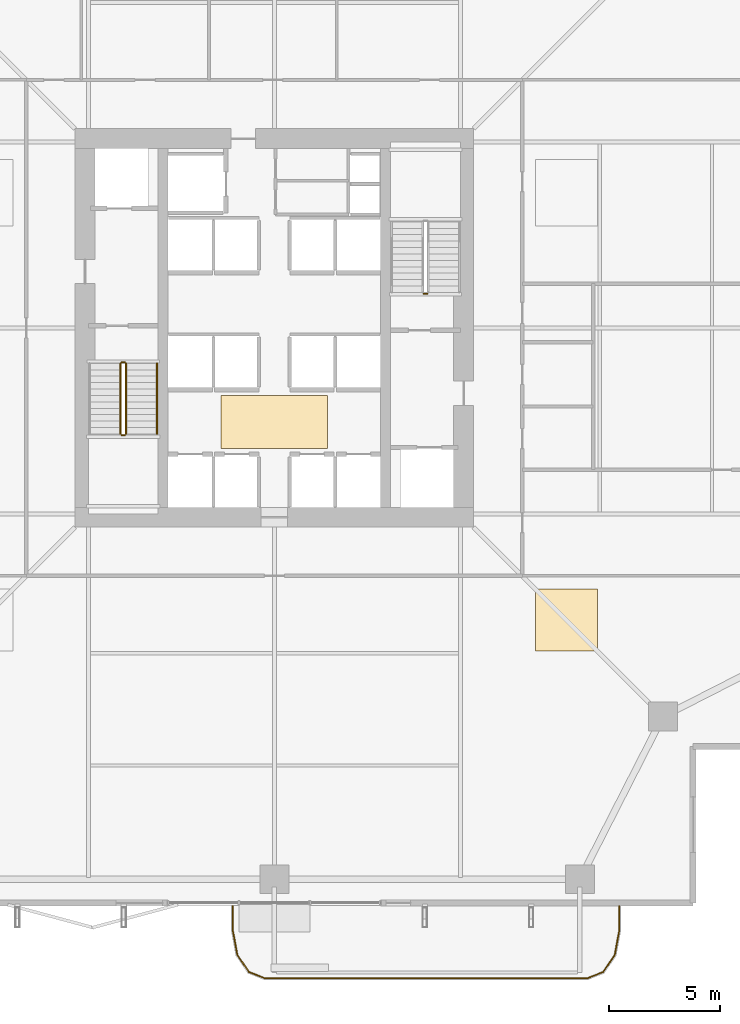
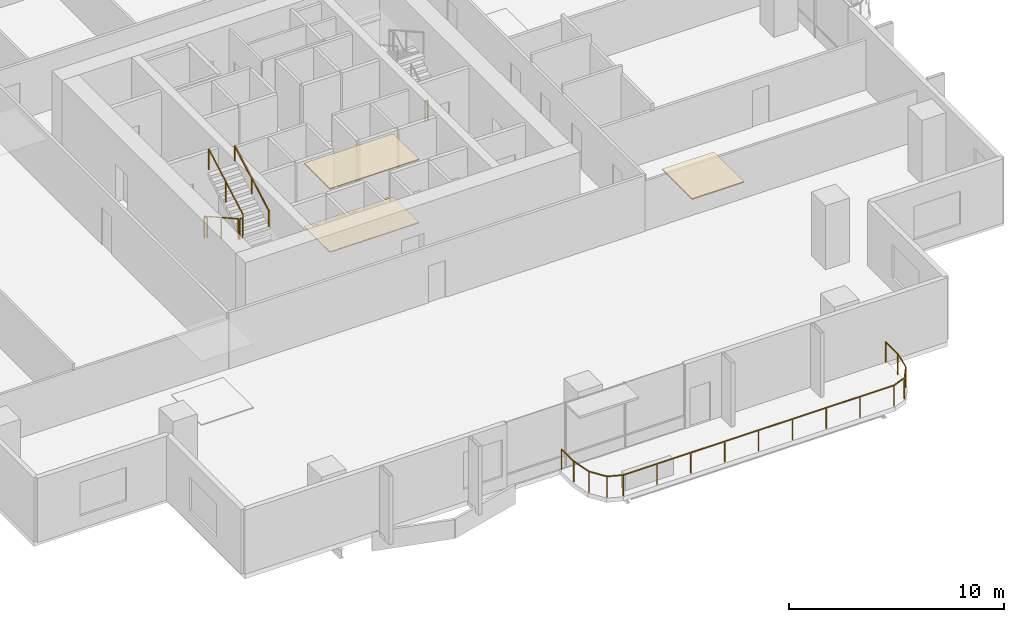
# One storey, part 22 of 24: 7 railings, 3 coverings.
"""IFC4 building model written with IfcOpenShell, lengths in metres."""

from ifc_helpers import new_model, si_unit, direction, frame, origin, origin_2d, place, context, subcontext, project, spatial, polyline, rectangle, outline, extrude, material, layer, layer_set, type_object, element, save


model = new_model("IFC4")

# Units and contexts
model_context = context("Model", 3, precision=1e-05, world=origin(), true_north=direction((0.0, 1.0)))
body_context = subcontext(model_context, "Body", "Model", "MODEL_VIEW")
ifc_project = project(units=[si_unit("LENGTHUNIT", "METRE"), si_unit("AREAUNIT", "SQUARE_METRE"), si_unit("VOLUMEUNIT", "CUBIC_METRE"), si_unit("PLANEANGLEUNIT", "RADIAN"), si_unit("MASSUNIT", "GRAM", prefix="KILO")], contexts=[model_context])

# Site, building, storey
site_placement = place(None, origin())
site = spatial("IfcSite", under=ifc_project, at=site_placement, CompositionType="ELEMENT")
building_placement = place(site_placement, origin())
building = spatial("IfcBuilding", under=site, at=building_placement, Name="Belovzor Exchange Tower", CompositionType="ELEMENT")
storey_placement = place(building_placement, frame((0.0, 0.0, 129.0)))
storey = spatial("IfcBuildingStorey", under=building, at=storey_placement, Name="L31", CompositionType="ELEMENT", Elevation=129.0)

# Railings
ifc_material_1 = material(Name="Stainless Steel Grade 304", Category="steel")
railing_type_1 = type_object("IfcRailingType", Name="Brushed Stainless Steel Stair Handrail 900", PredefinedType="HANDRAIL", material=ifc_material_1)
railing_1_placement = place(storey_placement, frame((23.5, 24.010009765625, 2.112548828125)))
element("IfcRailing", 1, at=railing_1_placement, inside=storey, type_object=railing_type_1, Name="L31 ST-1 stair handrail 2", PredefinedType="HANDRAIL", context=body_context, shape_type="SweptSolid", body=[
    extrude(rectangle(XDim=0.048095703125, YDim=0.048095703125, at=origin_2d()), frame((0.0, 0.0, 0.8759765625), z_axis=(0.0, 0.872390997893, 0.488808701636), x_axis=(-1.0, 0.0, 0.0)), (0.0, 0.0, 1.0), 3.656494140625),
    extrude(rectangle(XDim=0.0419921875, YDim=0.0419921875, at=origin_2d()), origin(), (0.0, 0.0, 1.0), 0.851806640625),
    extrude(rectangle(XDim=0.0419921875, YDim=0.0419921875, at=origin_2d()), frame((0.0, 1.594970703125, 0.8935546875)), (0.0, 0.0, 1.0), 0.851806640625),
    extrude(rectangle(XDim=0.0419921875, YDim=0.0419921875, at=origin_2d()), frame((0.0, 3.18994140625, 1.787353515625)), (0.0, 0.0, 1.0), 0.851806640625),
])
ifc_material_2 = material(Name="Stainless Steel and Laminated Safety Glass", Category="steel")
railing_type_2 = type_object("IfcRailingType", Name="Laminated Glass & Stainless Steel Balcony Balustrade 1200", PredefinedType="BALUSTRADE", material=ifc_material_2)
railing_2_placement = place(storey_placement, frame((26.929931640625, 2.68994140625, 0.0)))
element("IfcRailing", 2, at=railing_2_placement, inside=storey, type_object=railing_type_2, Name="GR-1 Balcony Balustrade L31 South", PredefinedType="BALUSTRADE", context=body_context, shape_type="SweptSolid", body=[
    extrude(rectangle(XDim=0.048095703125, YDim=0.048095703125, at=origin_2d()), frame((0.0, 0.0, 1.17578125), z_axis=(0.0, -1.0, 0.0), x_axis=(1.0, 0.0, 0.0)), (0.0, 0.0, 1.0), 1.133056640625),
    extrude(rectangle(XDim=0.048095703125, YDim=0.048095703125, at=origin_2d()), frame((0.0, -1.133056640625, 1.17578125), z_axis=(0.180122719713, -0.983644145941, 0.0), x_axis=(0.983644145941, 0.180122719713, 0.0)), (0.0, 0.0, 1.0), 1.09375),
    extrude(rectangle(XDim=0.048095703125, YDim=0.048095703125, at=origin_2d()), frame((0.197021484375, -2.208984375, 1.17578125), z_axis=(0.56294695933, -0.826493025367, 0.0), x_axis=(0.826493025367, 0.56294695933, 0.0)), (0.0, 0.0, 1.0), 0.932861328125),
    extrude(rectangle(XDim=0.048095703125, YDim=0.048095703125, at=origin_2d()), frame((0.72216796875, -2.97998046875, 1.17578125), z_axis=(0.930766990125, -0.365612923861, 0.0), x_axis=(0.365612923861, 0.930766990125, 0.0)), (0.0, 0.0, 1.0), 0.765869140625),
    extrude(rectangle(XDim=0.048095703125, YDim=0.048095703125, at=origin_2d()), frame((1.43505859375, -3.260009765625, 1.17578125), z_axis=(1.0, 0.0, 0.0), x_axis=(0.0, 1.0, 0.0)), (0.0, 0.0, 1.0), 14.570068359375),
    extrude(rectangle(XDim=0.048095703125, YDim=0.048095703125, at=origin_2d()), frame((16.005126953125, -3.260009765625, 1.17578125), z_axis=(0.930766990125, 0.365612923861, 0.0), x_axis=(-0.365612923861, 0.930766990125, 0.0)), (0.0, 0.0, 1.0), 0.765869140625),
    extrude(rectangle(XDim=0.048095703125, YDim=0.048095703125, at=origin_2d()), frame((16.718017578125, -2.97998046875, 1.17578125), z_axis=(0.56294695933, 0.826493025367, 0.0), x_axis=(-0.826493025367, 0.56294695933, 0.0)), (0.0, 0.0, 1.0), 0.932861328125),
    extrude(rectangle(XDim=0.048095703125, YDim=0.048095703125, at=origin_2d()), frame((17.2431640625, -2.208984375, 1.17578125), z_axis=(0.180122719713, 0.983644145941, 0.0), x_axis=(-0.983644145941, 0.180122719713, 0.0)), (0.0, 0.0, 1.0), 1.09375),
    extrude(rectangle(XDim=0.048095703125, YDim=0.048095703125, at=origin_2d()), frame((17.440185546875, -1.133056640625, 1.17578125), z_axis=(0.0, 1.0, 0.0), x_axis=(-1.0, 0.0, 0.0)), (0.0, 0.0, 1.0), 1.133056640625),
    extrude(rectangle(XDim=0.0419921875, YDim=0.0419921875, at=origin_2d()), origin(), (0.0, 0.0, 1.0), 1.15185546875),
    extrude(rectangle(XDim=0.0419921875, YDim=0.0419921875, at=origin_2d()), frame((0.0, -1.133056640625, 0.0)), (0.0, 0.0, 1.0), 1.15185546875),
    extrude(rectangle(XDim=0.0419921875, YDim=0.0419921875, at=origin_2d()), frame((0.197021484375, -2.208984375, 0.0)), (0.0, 0.0, 1.0), 1.15185546875),
    extrude(rectangle(XDim=0.0419921875, YDim=0.0419921875, at=origin_2d()), frame((0.72216796875, -2.97998046875, 0.0)), (0.0, 0.0, 1.0), 1.15185546875),
    extrude(rectangle(XDim=0.0419921875, YDim=0.0419921875, at=origin_2d()), frame((1.43505859375, -3.260009765625, 0.0)), (0.0, 0.0, 1.0), 1.15185546875),
    extrude(rectangle(XDim=0.0419921875, YDim=0.0419921875, at=origin_2d()), frame((3.25634765625, -3.260009765625, 0.0)), (0.0, 0.0, 1.0), 1.15185546875),
    extrude(rectangle(XDim=0.0419921875, YDim=0.0419921875, at=origin_2d()), frame((5.07763671875, -3.260009765625, 0.0)), (0.0, 0.0, 1.0), 1.15185546875),
    extrude(rectangle(XDim=0.0419921875, YDim=0.0419921875, at=origin_2d()), frame((6.89892578125, -3.260009765625, 0.0)), (0.0, 0.0, 1.0), 1.15185546875),
    extrude(rectangle(XDim=0.0419921875, YDim=0.0419921875, at=origin_2d()), frame((8.72021484375, -3.260009765625, 0.0)), (0.0, 0.0, 1.0), 1.15185546875),
    extrude(rectangle(XDim=0.0419921875, YDim=0.0419921875, at=origin_2d()), frame((10.541259765625, -3.260009765625, 0.0)), (0.0, 0.0, 1.0), 1.15185546875),
    extrude(rectangle(XDim=0.0419921875, YDim=0.0419921875, at=origin_2d()), frame((12.362548828125, -3.260009765625, 0.0)), (0.0, 0.0, 1.0), 1.15185546875),
    extrude(rectangle(XDim=0.0419921875, YDim=0.0419921875, at=origin_2d()), frame((14.183837890625, -3.260009765625, 0.0)), (0.0, 0.0, 1.0), 1.15185546875),
    extrude(rectangle(XDim=0.0419921875, YDim=0.0419921875, at=origin_2d()), frame((16.005126953125, -3.260009765625, 0.0)), (0.0, 0.0, 1.0), 1.15185546875),
    extrude(rectangle(XDim=0.0419921875, YDim=0.0419921875, at=origin_2d()), frame((16.718017578125, -2.97998046875, 0.0)), (0.0, 0.0, 1.0), 1.15185546875),
    extrude(rectangle(XDim=0.0419921875, YDim=0.0419921875, at=origin_2d()), frame((17.2431640625, -2.208984375, 0.0)), (0.0, 0.0, 1.0), 1.15185546875),
    extrude(rectangle(XDim=0.0419921875, YDim=0.0419921875, at=origin_2d()), frame((17.440185546875, -1.133056640625, 0.0)), (0.0, 0.0, 1.0), 1.15185546875),
    extrude(rectangle(XDim=0.0419921875, YDim=0.0419921875, at=origin_2d()), frame((17.440185546875, 0.0, 0.0)), (0.0, 0.0, 1.0), 1.15185546875),
])
ifc_material_3 = material(Name="Steel S355", Category="steel")
railing_type_3 = type_object("IfcRailingType", Name="Painted Steel Stairwell Guardrail 1200", PredefinedType="GUARDRAIL", material=ifc_material_3)
railing_3_placement = place(storey_placement, frame((21.85009765625, 27.199951171875, 0.16259765625)))
element("IfcRailing", 3, at=railing_3_placement, inside=storey, type_object=railing_type_3, Name="L31 ST-1 stair guard 1", PredefinedType="GUARDRAIL", context=body_context, shape_type="SweptSolid", body=[
    extrude(rectangle(XDim=0.048095703125, YDim=0.048095703125, at=origin_2d()), frame((0.0, 0.0, 1.17578125), z_axis=(0.0, -0.872390997893, 0.488808701636), x_axis=(1.0, 0.0, 0.0)), (0.0, 0.0, 1.0), 3.656494140625),
    extrude(rectangle(XDim=0.0419921875, YDim=0.0419921875, at=origin_2d()), origin(), (0.0, 0.0, 1.0), 1.15185546875),
    extrude(rectangle(XDim=0.0419921875, YDim=0.0419921875, at=origin_2d()), frame((0.0, -1.594970703125, 0.8935546875)), (0.0, 0.0, 1.0), 1.15185546875),
    extrude(rectangle(XDim=0.0419921875, YDim=0.0419921875, at=origin_2d()), frame((0.0, -3.18994140625, 1.787353515625)), (0.0, 0.0, 1.0), 1.15185546875),
])
railing_4_placement = place(storey_placement, frame((21.89990234375, 23.9599609375, 1.949951171875)))
element("IfcRailing", 4, at=railing_4_placement, inside=storey, type_object=railing_type_3, Name="L31 ST-1 stair guard 2", PredefinedType="GUARDRAIL", context=body_context, shape_type="SweptSolid", body=[
    extrude(rectangle(XDim=0.048095703125, YDim=0.048095703125, at=origin_2d()), frame((0.0, 0.0, 1.17578125), z_axis=(1.0, 0.0, 0.0), x_axis=(0.0, 1.0, 0.0)), (0.0, 0.0, 1.0), 0.150146484375),
    extrude(rectangle(XDim=0.0419921875, YDim=0.0419921875, at=origin_2d()), origin(), (0.0, 0.0, 1.0), 1.15185546875),
    extrude(rectangle(XDim=0.0419921875, YDim=0.0419921875, at=origin_2d()), frame((0.150146484375, 0.0, 0.0)), (0.0, 0.0, 1.0), 1.15185546875),
])
railing_5_placement = place(storey_placement, frame((22.10009765625, 24.010009765625, 2.112548828125)))
element("IfcRailing", 5, at=railing_5_placement, inside=storey, type_object=railing_type_3, Name="L31 ST-1 stair guard 3", PredefinedType="GUARDRAIL", context=body_context, shape_type="SweptSolid", body=[
    extrude(rectangle(XDim=0.048095703125, YDim=0.048095703125, at=origin_2d()), frame((0.0, 0.0, 1.17578125), z_axis=(0.0, 0.872390997893, 0.488808701636), x_axis=(-1.0, 0.0, 0.0)), (0.0, 0.0, 1.0), 3.656494140625),
    extrude(rectangle(XDim=0.0419921875, YDim=0.0419921875, at=origin_2d()), origin(), (0.0, 0.0, 1.0), 1.15185546875),
    extrude(rectangle(XDim=0.0419921875, YDim=0.0419921875, at=origin_2d()), frame((0.0, 1.594970703125, 0.8935546875)), (0.0, 0.0, 1.0), 1.15185546875),
    extrude(rectangle(XDim=0.0419921875, YDim=0.0419921875, at=origin_2d()), frame((0.0, 3.18994140625, 1.787353515625)), (0.0, 0.0, 1.0), 1.15185546875),
])
railing_6_placement = place(storey_placement, frame((21.89990234375, 27.25, 0.0)))
element("IfcRailing", 6, at=railing_6_placement, inside=storey, type_object=railing_type_3, Name="L31 ST-1 stair guard 4", PredefinedType="GUARDRAIL", context=body_context, shape_type="SweptSolid", body=[
    extrude(rectangle(XDim=0.048095703125, YDim=0.048095703125, at=origin_2d()), frame((0.0, 0.0, 1.17578125), z_axis=(1.0, 0.0, 0.0), x_axis=(0.0, 1.0, 0.0)), (0.0, 0.0, 1.0), 0.150146484375),
    extrude(rectangle(XDim=0.0419921875, YDim=0.0419921875, at=origin_2d()), origin(), (0.0, 0.0, 1.0), 1.15185546875),
    extrude(rectangle(XDim=0.0419921875, YDim=0.0419921875, at=origin_2d()), frame((0.150146484375, 0.0, 0.0)), (0.0, 0.0, 1.0), 1.15185546875),
])
railing_7_placement = place(storey_placement, frame((35.699951171875, 30.35009765625, 0.0)))
element("IfcRailing", 7, at=railing_7_placement, inside=storey, type_object=railing_type_3, Name="L31 ST-2 stair guard 4", PredefinedType="GUARDRAIL", context=body_context, shape_type="SweptSolid", body=[
    extrude(rectangle(XDim=0.048095703125, YDim=0.048095703125, at=origin_2d()), frame((0.0, 0.0, 1.17578125), z_axis=(-1.0, 0.0, 0.0), x_axis=(0.0, -1.0, 0.0)), (0.0, 0.0, 1.0), 0.14990234375),
    extrude(rectangle(XDim=0.0419921875, YDim=0.0419921875, at=origin_2d()), origin(), (0.0, 0.0, 1.0), 1.15185546875),
    extrude(rectangle(XDim=0.0419921875, YDim=0.0419921875, at=origin_2d()), frame((-0.14990234375, 0.0, 0.0)), (0.0, 0.0, 1.0), 1.15185546875),
])

# Coverings
ifc_material_4 = material(Name="Perforated Powder-Coated Aluminium", Category="aluminium")
ifc_layer_1 = layer(ifc_material_4, 0.06005859375)
ifc_layer_set_1 = layer_set([ifc_layer_1], Name="Perforated Powder-Coated Aluminium")
covering_type_1 = type_object("IfcCoveringType", Name="Perforated Acoustic Metal Tile Suspended Ceiling 60", PredefinedType="CEILING", material=ifc_layer_set_1)
covering_1_placement = place(storey_placement, frame((0.0, 0.0, 3.590087890625)))
element("IfcCovering", 8, at=covering_1_placement, inside=storey, type_object=covering_type_1, Name="CLG-AC60 Suspended Ceiling CLG-L31-LOB", PredefinedType="CEILING", context=body_context, shape_type="SweptSolid", body=[
    extrude(outline(polyline([(26.39990234375, 23.35009765625), (31.199951171875, 23.35009765625), (31.199951171875, 25.75), (26.39990234375, 25.75), (26.39990234375, 23.35009765625)])), origin(), (0.0, 0.0, 1.0), 0.059814453125),
])
covering_2_placement = place(storey_placement, frame((0.0, 0.0, 3.590087890625)))
element("IfcCovering", 9, at=covering_2_placement, inside=storey, type_object=covering_type_1, Name="CLG-AC60 Suspended Ceiling CLG-L31-Z1", PredefinedType="CEILING", context=body_context, shape_type="SweptSolid", body=[
    extrude(outline(polyline([(40.60009765625, 14.199951171875), (43.39990234375, 14.199951171875), (43.39990234375, 17.0), (40.60009765625, 17.0), (40.60009765625, 14.199951171875)])), origin(), (0.0, 0.0, 1.0), 0.059814453125),
])
ifc_material_5 = material(Name="Polished Natural Granite Tile", Category="masonry")
ifc_layer_2 = layer(ifc_material_5, 0.050048828125)
ifc_layer_set_2 = layer_set([ifc_layer_2], Name="Polished Natural Granite Tile")
covering_type_2 = type_object("IfcCoveringType", Name="Polished Karelian Granite & Raised Access Floor Finish 50", PredefinedType="FLOORING", material=ifc_layer_set_2)
covering_3_placement = place(storey_placement, origin())
element("IfcCovering", 10, at=covering_3_placement, inside=storey, type_object=covering_type_2, Name="FLR-GR50 Floor Finish FLR-L31-LOB", PredefinedType="FLOORING", context=body_context, shape_type="SweptSolid", body=[
    extrude(outline(polyline([(26.39990234375, 23.35009765625), (31.199951171875, 23.35009765625), (31.199951171875, 25.75), (26.39990234375, 25.75), (26.39990234375, 23.35009765625)])), origin(), (0.0, 0.0, 1.0), 0.050048828125),
])

save(model, "model.ifc")
